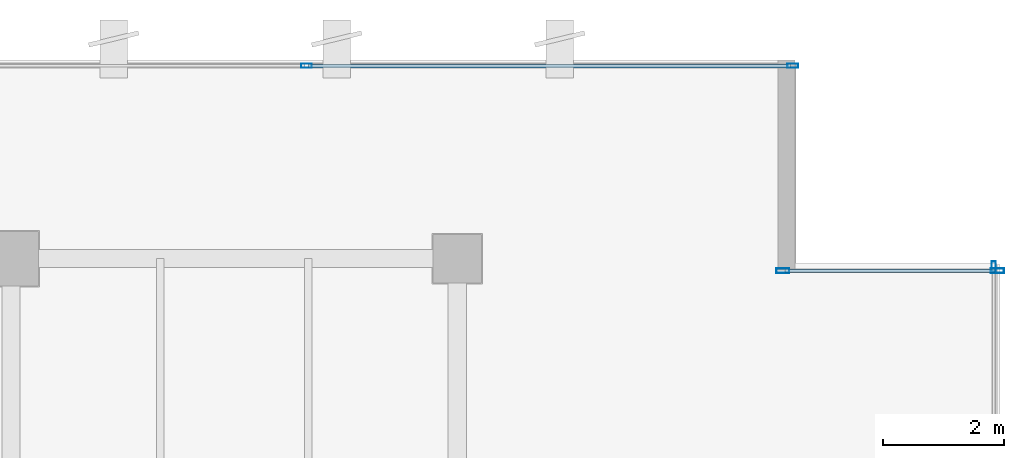
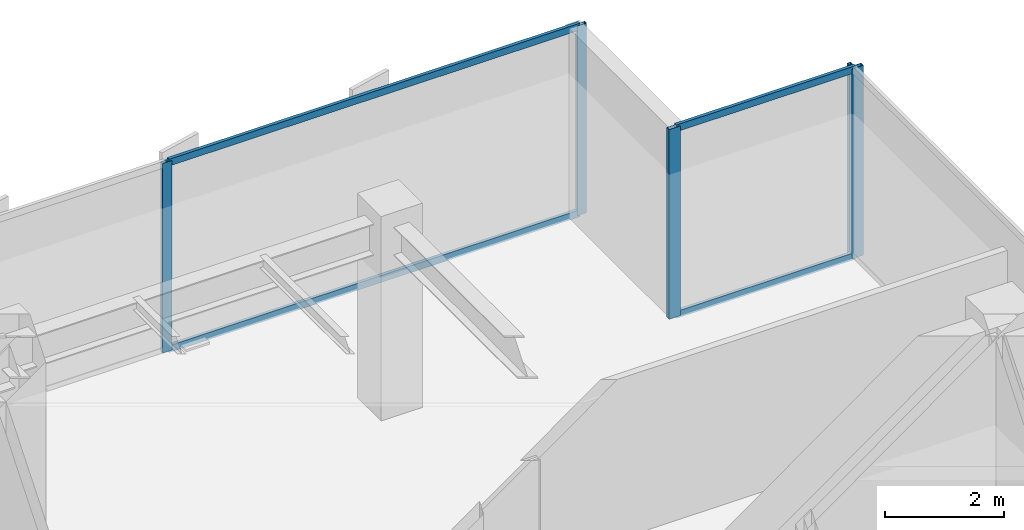
# One storey, part 24 of 32: 9 members, 3 elements without a shape of their own.
"""IFC4 building model written with IfcOpenShell, lengths in metres."""

from ifc_helpers import new_model, si_unit, direction, frame, origin, origin_2d, place, context, subcontext, project, spatial, hollow_rectangle, extrude, source, transform, mapped, material, layer, layer_set, material_profile, profile_set, type_object, type_shapes, element, aggregate, save


model = new_model("IFC4")

# Units and contexts
model_context = context("Model", 3, precision=1e-05, world=origin(), true_north=direction((0.0, 1.0)))
body_context = subcontext(model_context, "Body", "Model", "MODEL_VIEW")
ifc_project = project(units=[si_unit("LENGTHUNIT", "METRE"), si_unit("AREAUNIT", "SQUARE_METRE"), si_unit("VOLUMEUNIT", "CUBIC_METRE"), si_unit("PLANEANGLEUNIT", "RADIAN"), si_unit("MASSUNIT", "GRAM", prefix="KILO")], contexts=[model_context])

# Site, building, storey
site_placement = place(None, origin())
site = spatial("IfcSite", under=ifc_project, at=site_placement, CompositionType="ELEMENT")
building_placement = place(site_placement, origin())
building = spatial("IfcBuilding", under=site, at=building_placement, Name="Haelvirn Gate Laboratories", CompositionType="ELEMENT")
storey_placement = place(building_placement, frame((0.0, 0.0, 306.0)))
storey = spatial("IfcBuildingStorey", under=building, at=storey_placement, Name="L73", CompositionType="ELEMENT", Elevation=306.0)

# Curtain wall, member
ifc_material_1 = material(Name="Anodised bronze unitised aluminium & triple low-E glass", Category="aluminium")
ifc_layer_1 = layer(ifc_material_1, 0.176025390625, Name="CW-SYS-4")
ifc_layer_set_1 = layer_set([ifc_layer_1], Name="Anodised bronze unitised aluminium & triple low-E glass")
curtain_wall_type_1 = type_object("IfcCurtainWallType", Name="CW-SYS-4", PredefinedType="NOTDEFINED", material=ifc_layer_set_1)
curtain_wall_1_placement = place(storey_placement, origin())
curtain_wall_1 = element("IfcCurtainWall", 1, at=curtain_wall_1_placement, inside=storey, type_object=curtain_wall_type_1, Name="L73 Unitised Curtain Wall CW-L73-P0-E07", PredefinedType="NOTDEFINED")
ifc_material_2 = material(Name="Extruded aluminium 6063-T6 (anodised bronze)", Category="aluminium")
ifc_material_profile_1 = material_profile(ifc_material_2, hollow_rectangle(XDim=0.070068359375, YDim=0.179931640625, WallThickness=0.0048828125, at=origin_2d()), Name="CWM-180x70x5")
ifc_profile_set_1 = profile_set([ifc_material_profile_1], Name="Extruded aluminium 6063-T6 (anodised bronze)")
member_type_1 = type_object("IfcMemberType", Name="CWM-T180", PredefinedType="MULLION", material=ifc_profile_set_1)
shared_shape_1 = source(origin(), body_context, "Body", "SweptSolid", [
    extrude(hollow_rectangle(XDim=0.070068359375, YDim=0.179931640625, WallThickness=0.0048828125, at=origin_2d()), origin(), (0.0, 0.0, 1.0), 3.89990234375),
])
type_shapes(member_type_1, [shared_shape_1])
member_1_placement = place(storey_placement, frame((68.89990234375, 41.465087890625, 0.0), z_axis=(0.0, 0.0, 1.0), x_axis=(-1.0, 0.0, 0.0)))
member_1 = element("IfcMember", 2, at=member_1_placement, type_object=member_type_1, Name="CW4 mullion 3", PredefinedType="MULLION", context=body_context, shape_type="MappedRepresentation", body=[
    mapped(shared_shape_1, transform((0.0, 0.0, 0.0), scale=1.0)),
])
aggregate(curtain_wall_1, [member_1])

# Curtain wall, members
curtain_wall_2_placement = place(storey_placement, origin())
curtain_wall_2 = element("IfcCurtainWall", 3, at=curtain_wall_2_placement, inside=storey, type_object=curtain_wall_type_1, Name="L73 Unitised Curtain Wall CW-L73-P0-E10-1", PredefinedType="NOTDEFINED")
member_2_placement = place(storey_placement, frame((57.5, 44.800048828125, 0.0), z_axis=(0.0, 0.0, 1.0), x_axis=(0.0, 1.0, 0.0)))
member_2 = element("IfcMember", 4, at=member_2_placement, type_object=member_type_1, Name="CW4 mullion 2", PredefinedType="MULLION", context=body_context, shape_type="MappedRepresentation", body=[
    mapped(shared_shape_1, transform((0.0, 0.0, 0.0), scale=1.0)),
])
member_3_placement = place(storey_placement, frame((65.56494140625, 44.800048828125, 0.0), z_axis=(0.0, 0.0, 1.0), x_axis=(0.0, 1.0, 0.0)))
member_3 = element("IfcMember", 5, at=member_3_placement, type_object=member_type_1, Name="CW4 mullion 3", PredefinedType="MULLION", context=body_context, shape_type="MappedRepresentation", body=[
    mapped(shared_shape_1, transform((0.0, 0.0, 0.0), scale=1.0)),
])

ifc_layer_2 = layer(ifc_material_1, 0.181884765625, Name="CW-SYS-5")
ifc_layer_set_2 = layer_set([ifc_layer_2], Name="Anodised bronze unitised aluminium & triple low-E glass")
curtain_wall_type_2 = type_object("IfcCurtainWallType", Name="CW-SYS-5", PredefinedType="NOTDEFINED", material=ifc_layer_set_2)
curtain_wall_3_placement = place(storey_placement, origin())
curtain_wall_3 = element("IfcCurtainWall", 6, at=curtain_wall_3_placement, inside=storey, type_object=curtain_wall_type_2, Name="L73 Unitised Curtain Wall CW-L73-P0-E08-1", PredefinedType="NOTDEFINED")
ifc_material_profile_2 = material_profile(ifc_material_2, hollow_rectangle(XDim=0.080078125, YDim=0.219970703125, WallThickness=0.006103515625, at=origin_2d()), Name="CWM-220x80x6")
ifc_profile_set_2 = profile_set([ifc_material_profile_2], Name="Extruded aluminium 6063-T6 (anodised bronze)")
member_type_2 = type_object("IfcMemberType", Name="CWM-T220", PredefinedType="MULLION", material=ifc_profile_set_2)
shared_shape_2 = source(origin(), body_context, "Body", "SweptSolid", [
    extrude(hollow_rectangle(XDim=0.080078125, YDim=0.219970703125, WallThickness=0.006103515625, at=origin_2d()), origin(), (0.0, 0.0, 1.0), 3.89990234375),
])
type_shapes(member_type_2, [shared_shape_2])
member_4_placement = place(storey_placement, frame((65.39990234375, 41.39990234375, 0.0), z_axis=(0.0, 0.0, 1.0), x_axis=(0.0, 1.0, 0.0)))
member_4 = element("IfcMember", 7, at=member_4_placement, type_object=member_type_2, Name="CW5 mullion 1", PredefinedType="MULLION", context=body_context, shape_type="MappedRepresentation", body=[
    mapped(shared_shape_2, transform((0.0, 0.0, 0.0), scale=1.0)),
])
member_5_placement = place(storey_placement, frame((68.9599609375, 41.39990234375, 0.0), z_axis=(0.0, 0.0, 1.0), x_axis=(0.0, 1.0, 0.0)))
member_5 = element("IfcMember", 8, at=member_5_placement, type_object=member_type_2, Name="CW5 mullion 2", PredefinedType="MULLION", context=body_context, shape_type="MappedRepresentation", body=[
    mapped(shared_shape_2, transform((0.0, 0.0, 0.0), scale=1.0)),
])
ifc_material_profile_3 = material_profile(ifc_material_2, hollow_rectangle(XDim=0.06494140625, YDim=0.139892578125, WallThickness=0.00390625, at=origin_2d()), Name="CWT-140x65x4")
ifc_profile_set_3 = profile_set([ifc_material_profile_3], Name="Extruded aluminium 6063-T6 (anodised bronze)")
member_type_3 = type_object("IfcMemberType", Name="CWT-T140", PredefinedType="USERDEFINED", material=ifc_profile_set_3)
shared_shape_3 = source(origin(), body_context, "Body", "SweptSolid", [
    extrude(hollow_rectangle(XDim=0.06494140625, YDim=0.139892578125, WallThickness=0.00390625, at=origin_2d()), origin(), (0.0, 0.0, 1.0), 3.47998046875),
])
member_6_placement = place(storey_placement, frame((65.43994140625, 41.39990234375, 0.032470703125), z_axis=(1.0, 0.0, 0.0), x_axis=(0.0, 1.0, 0.0)))
member_6 = element("IfcMember", 9, at=member_6_placement, type_object=member_type_3, Name="CW5 transom 1.1", ObjectType="TRANSOM", PredefinedType="USERDEFINED", context=body_context, shape_type="MappedRepresentation", body=[
    mapped(shared_shape_3, transform((0.0, 0.0, 0.0), scale=1.0)),
])
member_7_placement = place(storey_placement, frame((65.43994140625, 41.39990234375, 3.867431640625), z_axis=(1.0, 0.0, 0.0), x_axis=(0.0, 1.0, 0.0)))
member_7 = element("IfcMember", 10, at=member_7_placement, type_object=member_type_3, Name="CW5 transom 1.2", ObjectType="TRANSOM", PredefinedType="USERDEFINED", context=body_context, shape_type="MappedRepresentation", body=[
    mapped(shared_shape_3, transform((0.0, 0.0, 0.0), scale=1.0)),
])
aggregate(curtain_wall_3, [member_4, member_5, member_6, member_7])

# Member
shared_shape_4 = source(origin(), body_context, "Body", "SweptSolid", [
    extrude(hollow_rectangle(XDim=0.06494140625, YDim=0.139892578125, WallThickness=0.00390625, at=origin_2d()), origin(), (0.0, 0.0, 1.0), 7.9951171875),
])
type_shapes(member_type_3, [shared_shape_3, shared_shape_4])
member_8_placement = place(storey_placement, frame((57.534912109375, 44.800048828125, 0.032470703125), z_axis=(1.0, 0.0, 0.0), x_axis=(0.0, 1.0, 0.0)))
member_8 = element("IfcMember", 11, at=member_8_placement, type_object=member_type_3, Name="CW4 transom 2.1", ObjectType="TRANSOM", PredefinedType="USERDEFINED", context=body_context, shape_type="MappedRepresentation", body=[
    mapped(shared_shape_4, transform((0.0, 0.0, 0.0), scale=1.0)),
])

member_9_placement = place(storey_placement, frame((57.534912109375, 44.800048828125, 3.867431640625), z_axis=(1.0, 0.0, 0.0), x_axis=(0.0, 1.0, 0.0)))
member_9 = element("IfcMember", 12, at=member_9_placement, type_object=member_type_3, Name="CW4 transom 2.2", ObjectType="TRANSOM", PredefinedType="USERDEFINED", context=body_context, shape_type="MappedRepresentation", body=[
    mapped(shared_shape_4, transform((0.0, 0.0, 0.0), scale=1.0)),
])

aggregate(curtain_wall_2, [member_2, member_3, member_8, member_9])

save(model, "model.ifc")
